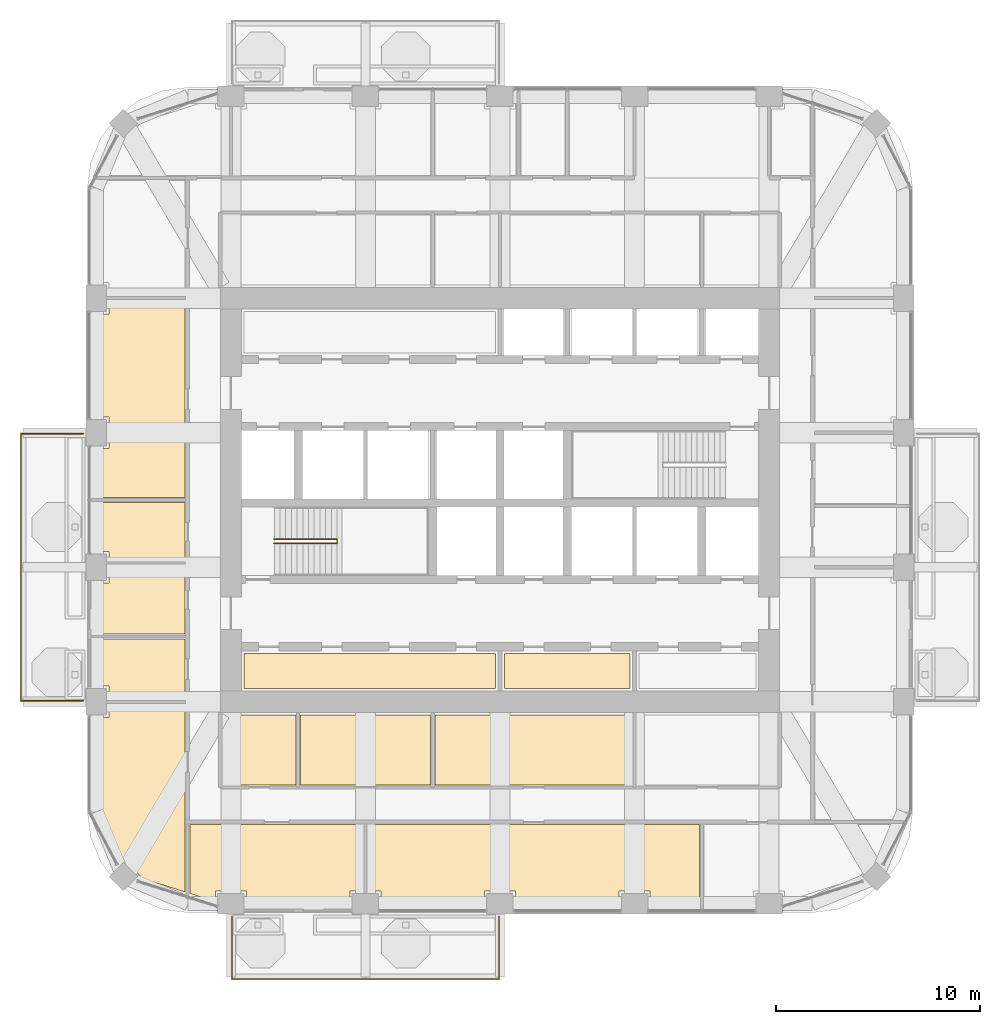
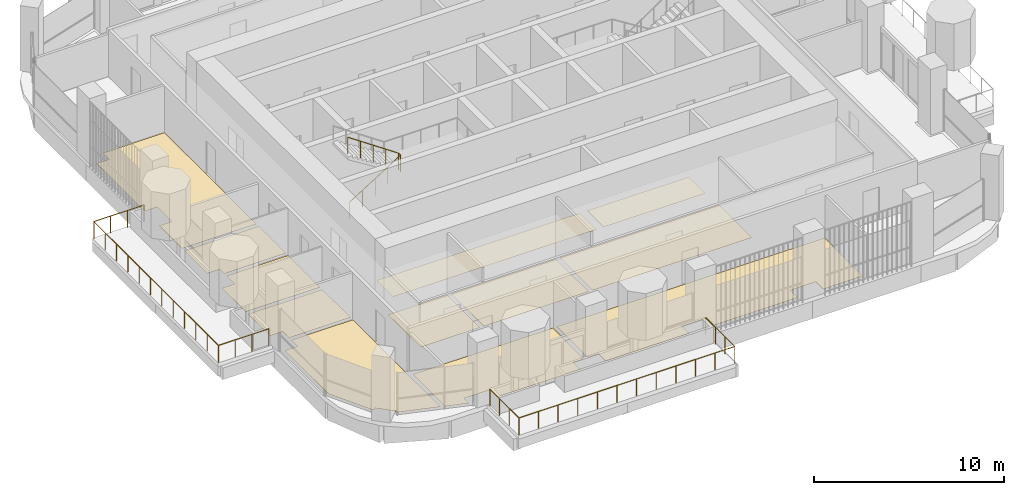
# One storey, part 16 of 20: 12 coverings, 3 railings.
"""IFC4 building model written with IfcOpenShell, lengths in metres."""

import ifcopenshell
import ifcopenshell.guid

model = None  # the IFC model being written
_history = None  # IfcOwnerHistory: only IFC2X3 demands one
_inside = {}  # id of a spatial element -> (the spatial element, [elements in it])
_under = {}  # id of a project, library or spatial element -> (it, [spatial elements below it])
_declared = {}  # id of a project -> (the project, [libraries it declares])
_typed = {}  # id of a type object -> (the type object, [elements of that type])
_made_of = {}  # id of a material, layer set ... -> (it, [elements and type objects made of it])


def new_model(schema):
    """Start an empty IFC model of exactly this schema.

    Asked for "IFC4X3", IfcOpenShell would pick the latest addendum, in which some entities
    have other attributes; the version numbers below select the first issue.
    IFC2X3 requires an IfcOwnerHistory on every rooted entity: one is made here for all.
    """
    global model, _history
    if schema == "IFC4X3":
        model = ifcopenshell.file(schema_version=(4, 3, 0, 0))
    else:
        model = ifcopenshell.file(schema=schema)
    _inside.clear()
    _under.clear()
    _declared.clear()
    _typed.clear()
    _made_of.clear()
    _history = None
    if model.schema == "IFC2X3":
        org = make("IfcOrganization", Name="unknown")
        user = make(
            "IfcPersonAndOrganization",
            ThePerson=make("IfcPerson", FamilyName="unknown"),
            TheOrganization=org,
        )
        app = make(
            "IfcApplication",
            ApplicationDeveloper=org,
            Version="unknown",
            ApplicationFullName="unknown",
            ApplicationIdentifier="unknown",
        )
        _history = make(
            "IfcOwnerHistory",
            OwningUser=user,
            OwningApplication=app,
            ChangeAction="ADDED",
            CreationDate=0,
        )
    return model


def make(cls, **values):
    """One entity of the class cls with the attributes given. An attribute that is None is left unset."""
    return model.create_entity(
        cls, **{name: value for name, value in values.items() if value is not None}
    )


def rooted(cls, **values):
    """An entity with a GlobalId (a new one), such as an element, a storey or a relation."""
    return make(cls, GlobalId=ifcopenshell.guid.new(), OwnerHistory=_history, **values)


def si_unit(unit_type, name, prefix=None):
    """IfcSIUnit, for example si_unit("LENGTHUNIT", "METRE", prefix="MILLI")."""
    return make("IfcSIUnit", UnitType=unit_type, Prefix=prefix, Name=name)


def assignment(units):
    """IfcUnitAssignment: the units of a project."""
    return None if units is None else make("IfcUnitAssignment", Units=units)


def point(xyz):
    """IfcCartesianPoint."""
    return None if xyz is None else make("IfcCartesianPoint", Coordinates=xyz)


def direction(xyz):
    """IfcDirection."""
    return None if xyz is None else make("IfcDirection", DirectionRatios=xyz)


def frame(location, z_axis=None, x_axis=None):
    """IfcAxis2Placement3D, a coordinate frame: its origin and axes. An axis left out is left unset."""
    return make(
        "IfcAxis2Placement3D",
        Location=point(location),
        Axis=direction(z_axis),
        RefDirection=direction(x_axis),
    )


def origin():
    """The frame at (0, 0, 0) with its axes left unset."""
    return frame((0.0, 0.0, 0.0))


def place(relative_to, where):
    """IfcLocalPlacement: puts the frame where relative to a parent placement (None: the world)."""
    return make(
        "IfcLocalPlacement", PlacementRelTo=relative_to, RelativePlacement=where
    )


def context(
    kind, dimensions, precision=None, world=None, true_north=None, identifier=None
):
    """IfcGeometricRepresentationContext, for example the 3D "Model" context."""
    return make(
        "IfcGeometricRepresentationContext",
        ContextIdentifier=identifier,
        ContextType=kind,
        CoordinateSpaceDimension=dimensions,
        Precision=precision,
        WorldCoordinateSystem=world,
        TrueNorth=true_north,
    )


def subcontext(parent, identifier, kind, view, scale=None):
    """IfcGeometricRepresentationSubContext, for example "Body" below "Model"."""
    return make(
        "IfcGeometricRepresentationSubContext",
        ContextIdentifier=identifier,
        ContextType=kind,
        ParentContext=parent,
        TargetScale=scale,
        TargetView=view,
    )


def project(units=None, contexts=None):
    """IfcProject with its units and contexts."""
    return rooted(
        "IfcProject",
        Name="project",
        RepresentationContexts=contexts,
        UnitsInContext=assignment(units),
    )


def spatial(cls, under=None, at=None, **own):
    """A site, building, storey or space (cls), placed at a placement, below another one or the project."""
    s = rooted(cls, ObjectPlacement=at, **own)
    if under is not None:
        _under.setdefault(under.id(), (under, []))[1].append(s)
    return s


def polyline(points):
    """IfcPolyline through the points."""
    return make("IfcPolyline", Points=[point(p) for p in points])


def outline(outer, holes=None, kind="AREA"):
    """IfcArbitraryClosedProfileDef: a profile drawn as a closed curve; with holes, ...WithVoids."""
    if holes is None:
        return make("IfcArbitraryClosedProfileDef", ProfileType=kind, OuterCurve=outer)
    return make(
        "IfcArbitraryProfileDefWithVoids",
        ProfileType=kind,
        OuterCurve=outer,
        InnerCurves=holes,
    )


def extrude(swept, where, along, depth):
    """IfcExtrudedAreaSolid: the profile swept, set in the frame where, extruded along a direction by depth."""
    return make(
        "IfcExtrudedAreaSolid",
        SweptArea=swept,
        Position=where,
        ExtrudedDirection=direction(along),
        Depth=depth,
    )


def shape(context_of_items, identifier, shape_type, items):
    """IfcShapeRepresentation: the items that make up one representation, for example the "Body"."""
    return make(
        "IfcShapeRepresentation",
        ContextOfItems=context_of_items,
        RepresentationIdentifier=identifier,
        RepresentationType=shape_type,
        Items=items,
    )


def material(Name=None, Category=None):
    """IfcMaterial."""
    return make("IfcMaterial", Name=Name, Category=Category)


def layer(
    of_material, thickness, ventilated=None, Name=None, Category=None, Priority=None
):
    """IfcMaterialLayer: one layer of a wall or slab, of a material (None: an air gap)."""
    return make(
        "IfcMaterialLayer",
        Material=of_material,
        LayerThickness=thickness,
        IsVentilated=ventilated,
        Name=Name,
        Category=Category,
        Priority=Priority,
    )


def layer_set(layers, Name=None):
    """IfcMaterialLayerSet."""
    return make("IfcMaterialLayerSet", MaterialLayers=layers, LayerSetName=Name)


def made_of(thing, what):
    """Note that an element or type object is made of a material, layer set ...; save() writes the relation."""
    if what is not None:
        _made_of.setdefault(what.id(), (what, []))[1].append(thing)
    return thing


def type_object(cls, material=None, **own):
    """A type object (cls), such as IfcWallType, which elements share."""
    return made_of(rooted(cls, **own), material)


def element(
    cls,
    number,
    at=None,
    inside=None,
    cuts=None,
    type_object=None,
    material=None,
    context=None,
    identifier="Body",
    shape_type=None,
    held_by="IfcProductDefinitionShape",
    body=None,
    shapes=None,
    **own,
):
    """One element of the class cls, such as IfcWall. Its Tag is "e" and its number.

    at: its placement. inside: the storey or other place that contains it. cuts: it is an
    opening in that element (IfcRelVoidsElement). A single representation is given by context,
    identifier, shape_type and body (its items); several are given by shapes. held_by: the class
    of the entity that holds the representations. save() writes the other relations.
    """
    e = rooted(cls, Tag="e%d" % number, ObjectPlacement=at, **own)
    if body is not None:
        shapes = [shape(context, identifier, shape_type, body)]
    if shapes is not None:
        e.Representation = make(held_by, Representations=shapes)
    if inside is not None:
        _inside.setdefault(inside.id(), (inside, []))[1].append(e)
    if cuts is not None:
        rooted(
            "IfcRelVoidsElement", RelatingBuildingElement=cuts, RelatedOpeningElement=e
        )
    if type_object is not None:
        _typed.setdefault(type_object.id(), (type_object, []))[1].append(e)
    return made_of(e, material)


def aggregate(whole, parts):
    """IfcRelAggregates: a whole, such as a stair, and the parts it consists of."""
    return rooted("IfcRelAggregates", RelatingObject=whole, RelatedObjects=parts)


def save(model, path):
    """Write the relations noted so far, then the file.

    IfcRelAggregates (storeys below a building ...), IfcRelContainedInSpatialStructure (elements
    in a storey), IfcRelDefinesByType, IfcRelAssociatesMaterial and IfcRelDeclares: one each for
    every whole, place, type object, material and project.
    """
    for whole, parts in _under.values():
        aggregate(whole, parts)
    for where, things in _inside.values():
        rooted(
            "IfcRelContainedInSpatialStructure",
            RelatedElements=things,
            RelatingStructure=where,
        )
    for kind, things in _typed.values():
        rooted("IfcRelDefinesByType", RelatedObjects=things, RelatingType=kind)
    for what, things in _made_of.values():
        rooted("IfcRelAssociatesMaterial", RelatedObjects=things, RelatingMaterial=what)
    for by, libraries in _declared.values():
        rooted("IfcRelDeclares", RelatingContext=by, RelatedDefinitions=libraries)
    model.write(path)


model = new_model("IFC4")

# Units and contexts
model_context = context("Model", 3, precision=1e-05, world=origin(), true_north=direction((0.0, 1.0)))
body_context = subcontext(model_context, "Body", "Model", "MODEL_VIEW")
ifc_project = project(units=[si_unit("LENGTHUNIT", "METRE"), si_unit("AREAUNIT", "SQUARE_METRE"), si_unit("VOLUMEUNIT", "CUBIC_METRE"), si_unit("PLANEANGLEUNIT", "RADIAN"), si_unit("MASSUNIT", "GRAM", prefix="KILO")], contexts=[model_context])

# Site, building, storey
site_placement = place(None, origin())
site = spatial("IfcSite", under=ifc_project, at=site_placement, CompositionType="ELEMENT")
building_placement = place(site_placement, origin())
building = spatial("IfcBuilding", under=site, at=building_placement, Name="Cobogo Forest Laboratory Tower", CompositionType="ELEMENT")
storey_placement = place(building_placement, frame((0.0, 0.0, 246.0)))
storey = spatial("IfcBuildingStorey", under=building, at=storey_placement, Name="L56", CompositionType="ELEMENT", Elevation=246.0)

# Railings
ifc_material_1 = material(Name="Laminated glass balustrade", Category="glass")
railing_type_1 = type_object("IfcRailingType", Name="BG1 glass balustrade 1100", PredefinedType="GUARDRAIL", material=ifc_material_1)
railing_1_placement = place(storey_placement, frame((13.25, 2.64990234375, 0.0)))
element("IfcRailing", 1, at=railing_1_placement, inside=storey, type_object=railing_type_1, Name="Balcony balustrade BAL-S1 L56", PredefinedType="GUARDRAIL", context=body_context, shape_type="SweptSolid", body=[
    extrude(outline(polyline([(0.022216796875, 0.00927734375), (0.00927734375, 0.022216796875), (-0.00927734375, 0.022216796875), (-0.022216796875, 0.00927734375), (-0.022216796875, -0.00927734375), (-0.00927734375, -0.022216796875), (0.00927734375, -0.022216796875), (0.022216796875, -0.00927734375), (0.022216796875, 0.00927734375)])), frame((0.0, 0.0, 1.077880859375), z_axis=(0.0, -1.0, 0.0), x_axis=(1.0, 0.0, 0.0)), (0.0, 0.0, 1.0), 3.0498046875),
    extrude(outline(polyline([(0.022216796875, 0.00927734375), (0.00927734375, 0.022216796875), (-0.00927734375, 0.022216796875), (-0.022216796875, 0.00927734375), (-0.022216796875, -0.00927734375), (-0.00927734375, -0.022216796875), (0.00927734375, -0.022216796875), (0.022216796875, -0.00927734375), (0.022216796875, 0.00927734375)])), frame((0.0, -3.0498046875, 1.077880859375), z_axis=(1.0, 0.0, 0.0), x_axis=(0.0, 1.0, 0.0)), (0.0, 0.0, 1.0), 13.10009765625),
    extrude(outline(polyline([(0.022216796875, 0.00927734375), (0.00927734375, 0.022216796875), (-0.00927734375, 0.022216796875), (-0.022216796875, 0.00927734375), (-0.022216796875, -0.00927734375), (-0.00927734375, -0.022216796875), (0.00927734375, -0.022216796875), (0.022216796875, -0.00927734375), (0.022216796875, 0.00927734375)])), frame((13.10009765625, -3.0498046875, 1.077880859375), z_axis=(0.0, 1.0, 0.0), x_axis=(-1.0, 0.0, 0.0)), (0.0, 0.0, 1.0), 3.0498046875),
    extrude(outline(polyline([(0.019287109375, 0.008056640625), (0.008056640625, 0.019287109375), (-0.008056640625, 0.019287109375), (-0.019287109375, 0.008056640625), (-0.019287109375, -0.008056640625), (-0.008056640625, -0.019287109375), (0.008056640625, -0.019287109375), (0.019287109375, -0.008056640625), (0.019287109375, 0.008056640625)])), origin(), (0.0, 0.0, 1.0), 1.077880859375),
    extrude(outline(polyline([(0.019287109375, 0.008056640625), (0.008056640625, 0.019287109375), (-0.008056640625, 0.019287109375), (-0.019287109375, 0.008056640625), (-0.019287109375, -0.008056640625), (-0.008056640625, -0.019287109375), (0.008056640625, -0.019287109375), (0.019287109375, -0.008056640625), (0.019287109375, 0.008056640625)])), frame((0.0, -1.0166015625, 0.0)), (0.0, 0.0, 1.0), 1.077880859375),
    extrude(outline(polyline([(0.019287109375, 0.008056640625), (0.008056640625, 0.019287109375), (-0.008056640625, 0.019287109375), (-0.019287109375, 0.008056640625), (-0.019287109375, -0.008056640625), (-0.008056640625, -0.019287109375), (0.008056640625, -0.019287109375), (0.019287109375, -0.008056640625), (0.019287109375, 0.008056640625)])), frame((0.0, -2.033203125, 0.0)), (0.0, 0.0, 1.0), 1.077880859375),
    extrude(outline(polyline([(0.019287109375, 0.008056640625), (0.008056640625, 0.019287109375), (-0.008056640625, 0.019287109375), (-0.019287109375, 0.008056640625), (-0.019287109375, -0.008056640625), (-0.008056640625, -0.019287109375), (0.008056640625, -0.019287109375), (0.019287109375, -0.008056640625), (0.019287109375, 0.008056640625)])), frame((0.0, -3.0498046875, 0.0)), (0.0, 0.0, 1.0), 1.077880859375),
    extrude(outline(polyline([(0.019287109375, 0.008056640625), (0.008056640625, 0.019287109375), (-0.008056640625, 0.019287109375), (-0.019287109375, 0.008056640625), (-0.019287109375, -0.008056640625), (-0.008056640625, -0.019287109375), (0.008056640625, -0.019287109375), (0.019287109375, -0.008056640625), (0.019287109375, 0.008056640625)])), frame((1.19091796875, -3.0498046875, 0.0)), (0.0, 0.0, 1.0), 1.077880859375),
    extrude(outline(polyline([(0.019287109375, 0.008056640625), (0.008056640625, 0.019287109375), (-0.008056640625, 0.019287109375), (-0.019287109375, 0.008056640625), (-0.019287109375, -0.008056640625), (-0.008056640625, -0.019287109375), (0.008056640625, -0.019287109375), (0.019287109375, -0.008056640625), (0.019287109375, 0.008056640625)])), frame((2.3818359375, -3.0498046875, 0.0)), (0.0, 0.0, 1.0), 1.077880859375),
    extrude(outline(polyline([(0.019287109375, 0.008056640625), (0.008056640625, 0.019287109375), (-0.008056640625, 0.019287109375), (-0.019287109375, 0.008056640625), (-0.019287109375, -0.008056640625), (-0.008056640625, -0.019287109375), (0.008056640625, -0.019287109375), (0.019287109375, -0.008056640625), (0.019287109375, 0.008056640625)])), frame((3.57275390625, -3.0498046875, 0.0)), (0.0, 0.0, 1.0), 1.077880859375),
    extrude(outline(polyline([(0.019287109375, 0.008056640625), (0.008056640625, 0.019287109375), (-0.008056640625, 0.019287109375), (-0.019287109375, 0.008056640625), (-0.019287109375, -0.008056640625), (-0.008056640625, -0.019287109375), (0.008056640625, -0.019287109375), (0.019287109375, -0.008056640625), (0.019287109375, 0.008056640625)])), frame((4.763671875, -3.0498046875, 0.0)), (0.0, 0.0, 1.0), 1.077880859375),
    extrude(outline(polyline([(0.019287109375, 0.008056640625), (0.008056640625, 0.019287109375), (-0.008056640625, 0.019287109375), (-0.019287109375, 0.008056640625), (-0.019287109375, -0.008056640625), (-0.008056640625, -0.019287109375), (0.008056640625, -0.019287109375), (0.019287109375, -0.008056640625), (0.019287109375, 0.008056640625)])), frame((5.95458984375, -3.0498046875, 0.0)), (0.0, 0.0, 1.0), 1.077880859375),
    extrude(outline(polyline([(0.019287109375, 0.008056640625), (0.008056640625, 0.019287109375), (-0.008056640625, 0.019287109375), (-0.019287109375, 0.008056640625), (-0.019287109375, -0.008056640625), (-0.008056640625, -0.019287109375), (0.008056640625, -0.019287109375), (0.019287109375, -0.008056640625), (0.019287109375, 0.008056640625)])), frame((7.1455078125, -3.0498046875, 0.0)), (0.0, 0.0, 1.0), 1.077880859375),
    extrude(outline(polyline([(0.019287109375, 0.008056640625), (0.008056640625, 0.019287109375), (-0.008056640625, 0.019287109375), (-0.019287109375, 0.008056640625), (-0.019287109375, -0.008056640625), (-0.008056640625, -0.019287109375), (0.008056640625, -0.019287109375), (0.019287109375, -0.008056640625), (0.019287109375, 0.008056640625)])), frame((8.33642578125, -3.0498046875, 0.0)), (0.0, 0.0, 1.0), 1.077880859375),
    extrude(outline(polyline([(0.019287109375, 0.008056640625), (0.008056640625, 0.019287109375), (-0.008056640625, 0.019287109375), (-0.019287109375, 0.008056640625), (-0.019287109375, -0.008056640625), (-0.008056640625, -0.019287109375), (0.008056640625, -0.019287109375), (0.019287109375, -0.008056640625), (0.019287109375, 0.008056640625)])), frame((9.52734375, -3.0498046875, 0.0)), (0.0, 0.0, 1.0), 1.077880859375),
    extrude(outline(polyline([(0.019287109375, 0.008056640625), (0.008056640625, 0.019287109375), (-0.008056640625, 0.019287109375), (-0.019287109375, 0.008056640625), (-0.019287109375, -0.008056640625), (-0.008056640625, -0.019287109375), (0.008056640625, -0.019287109375), (0.019287109375, -0.008056640625), (0.019287109375, 0.008056640625)])), frame((10.71826171875, -3.0498046875, 0.0)), (0.0, 0.0, 1.0), 1.077880859375),
    extrude(outline(polyline([(0.019287109375, 0.008056640625), (0.008056640625, 0.019287109375), (-0.008056640625, 0.019287109375), (-0.019287109375, 0.008056640625), (-0.019287109375, -0.008056640625), (-0.008056640625, -0.019287109375), (0.008056640625, -0.019287109375), (0.019287109375, -0.008056640625), (0.019287109375, 0.008056640625)])), frame((11.9091796875, -3.0498046875, 0.0)), (0.0, 0.0, 1.0), 1.077880859375),
    extrude(outline(polyline([(0.019287109375, 0.008056640625), (0.008056640625, 0.019287109375), (-0.008056640625, 0.019287109375), (-0.019287109375, 0.008056640625), (-0.019287109375, -0.008056640625), (-0.008056640625, -0.019287109375), (0.008056640625, -0.019287109375), (0.019287109375, -0.008056640625), (0.019287109375, 0.008056640625)])), frame((13.10009765625, -3.0498046875, 0.0)), (0.0, 0.0, 1.0), 1.077880859375),
    extrude(outline(polyline([(0.019287109375, 0.008056640625), (0.008056640625, 0.019287109375), (-0.008056640625, 0.019287109375), (-0.019287109375, 0.008056640625), (-0.019287109375, -0.008056640625), (-0.008056640625, -0.019287109375), (0.008056640625, -0.019287109375), (0.019287109375, -0.008056640625), (0.019287109375, 0.008056640625)])), frame((13.10009765625, -2.033203125, 0.0)), (0.0, 0.0, 1.0), 1.077880859375),
    extrude(outline(polyline([(0.019287109375, 0.008056640625), (0.008056640625, 0.019287109375), (-0.008056640625, 0.019287109375), (-0.019287109375, 0.008056640625), (-0.019287109375, -0.008056640625), (-0.008056640625, -0.019287109375), (0.008056640625, -0.019287109375), (0.019287109375, -0.008056640625), (0.019287109375, 0.008056640625)])), frame((13.10009765625, -1.0166015625, 0.0)), (0.0, 0.0, 1.0), 1.077880859375),
    extrude(outline(polyline([(0.019287109375, 0.008056640625), (0.008056640625, 0.019287109375), (-0.008056640625, 0.019287109375), (-0.019287109375, 0.008056640625), (-0.019287109375, -0.008056640625), (-0.008056640625, -0.019287109375), (0.008056640625, -0.019287109375), (0.019287109375, -0.008056640625), (0.019287109375, 0.008056640625)])), frame((13.10009765625, 0.0, 0.0)), (0.0, 0.0, 1.0), 1.077880859375),
])
railing_2_placement = place(storey_placement, frame((5.949951171875, 13.25, 0.0)))
element("IfcRailing", 2, at=railing_2_placement, inside=storey, type_object=railing_type_1, Name="Balcony balustrade BAL-W1 L56", PredefinedType="GUARDRAIL", context=body_context, shape_type="SweptSolid", body=[
    extrude(outline(polyline([(0.022216796875, 0.00927734375), (0.00927734375, 0.022216796875), (-0.00927734375, 0.022216796875), (-0.022216796875, 0.00927734375), (-0.022216796875, -0.00927734375), (-0.00927734375, -0.022216796875), (0.00927734375, -0.022216796875), (0.022216796875, -0.00927734375), (0.022216796875, 0.00927734375)])), frame((0.0, 0.0, 1.077880859375), z_axis=(-1.0, 0.0, 0.0), x_axis=(0.0, -1.0, 0.0)), (0.0, 0.0, 1.0), 3.050048828125),
    extrude(outline(polyline([(0.022216796875, 0.00927734375), (0.00927734375, 0.022216796875), (-0.00927734375, 0.022216796875), (-0.022216796875, 0.00927734375), (-0.022216796875, -0.00927734375), (-0.00927734375, -0.022216796875), (0.00927734375, -0.022216796875), (0.022216796875, -0.00927734375), (0.022216796875, 0.00927734375)])), frame((-3.050048828125, 0.0, 1.077880859375), z_axis=(0.0, 1.0, 0.0), x_axis=(-1.0, 0.0, 0.0)), (0.0, 0.0, 1.0), 13.10009765625),
    extrude(outline(polyline([(0.022216796875, 0.00927734375), (0.00927734375, 0.022216796875), (-0.00927734375, 0.022216796875), (-0.022216796875, 0.00927734375), (-0.022216796875, -0.00927734375), (-0.00927734375, -0.022216796875), (0.00927734375, -0.022216796875), (0.022216796875, -0.00927734375), (0.022216796875, 0.00927734375)])), frame((-3.050048828125, 13.10009765625, 1.077880859375), z_axis=(1.0, 0.0, 0.0), x_axis=(0.0, 1.0, 0.0)), (0.0, 0.0, 1.0), 3.050048828125),
    extrude(outline(polyline([(0.019287109375, 0.008056640625), (0.008056640625, 0.019287109375), (-0.008056640625, 0.019287109375), (-0.019287109375, 0.008056640625), (-0.019287109375, -0.008056640625), (-0.008056640625, -0.019287109375), (0.008056640625, -0.019287109375), (0.019287109375, -0.008056640625), (0.019287109375, 0.008056640625)])), origin(), (0.0, 0.0, 1.0), 1.077880859375),
    extrude(outline(polyline([(0.019287109375, 0.008056640625), (0.008056640625, 0.019287109375), (-0.008056640625, 0.019287109375), (-0.019287109375, 0.008056640625), (-0.019287109375, -0.008056640625), (-0.008056640625, -0.019287109375), (0.008056640625, -0.019287109375), (0.019287109375, -0.008056640625), (0.019287109375, 0.008056640625)])), frame((-1.0166015625, 0.0, 0.0)), (0.0, 0.0, 1.0), 1.077880859375),
    extrude(outline(polyline([(0.019287109375, 0.008056640625), (0.008056640625, 0.019287109375), (-0.008056640625, 0.019287109375), (-0.019287109375, 0.008056640625), (-0.019287109375, -0.008056640625), (-0.008056640625, -0.019287109375), (0.008056640625, -0.019287109375), (0.019287109375, -0.008056640625), (0.019287109375, 0.008056640625)])), frame((-2.033447265625, 0.0, 0.0)), (0.0, 0.0, 1.0), 1.077880859375),
    extrude(outline(polyline([(0.019287109375, 0.008056640625), (0.008056640625, 0.019287109375), (-0.008056640625, 0.019287109375), (-0.019287109375, 0.008056640625), (-0.019287109375, -0.008056640625), (-0.008056640625, -0.019287109375), (0.008056640625, -0.019287109375), (0.019287109375, -0.008056640625), (0.019287109375, 0.008056640625)])), frame((-3.050048828125, 0.0, 0.0)), (0.0, 0.0, 1.0), 1.077880859375),
    extrude(outline(polyline([(0.019287109375, 0.008056640625), (0.008056640625, 0.019287109375), (-0.008056640625, 0.019287109375), (-0.019287109375, 0.008056640625), (-0.019287109375, -0.008056640625), (-0.008056640625, -0.019287109375), (0.008056640625, -0.019287109375), (0.019287109375, -0.008056640625), (0.019287109375, 0.008056640625)])), frame((-3.050048828125, 1.19091796875, 0.0)), (0.0, 0.0, 1.0), 1.077880859375),
    extrude(outline(polyline([(0.019287109375, 0.008056640625), (0.008056640625, 0.019287109375), (-0.008056640625, 0.019287109375), (-0.019287109375, 0.008056640625), (-0.019287109375, -0.008056640625), (-0.008056640625, -0.019287109375), (0.008056640625, -0.019287109375), (0.019287109375, -0.008056640625), (0.019287109375, 0.008056640625)])), frame((-3.050048828125, 2.3818359375, 0.0)), (0.0, 0.0, 1.0), 1.077880859375),
    extrude(outline(polyline([(0.019287109375, 0.008056640625), (0.008056640625, 0.019287109375), (-0.008056640625, 0.019287109375), (-0.019287109375, 0.008056640625), (-0.019287109375, -0.008056640625), (-0.008056640625, -0.019287109375), (0.008056640625, -0.019287109375), (0.019287109375, -0.008056640625), (0.019287109375, 0.008056640625)])), frame((-3.050048828125, 3.57275390625, 0.0)), (0.0, 0.0, 1.0), 1.077880859375),
    extrude(outline(polyline([(0.019287109375, 0.008056640625), (0.008056640625, 0.019287109375), (-0.008056640625, 0.019287109375), (-0.019287109375, 0.008056640625), (-0.019287109375, -0.008056640625), (-0.008056640625, -0.019287109375), (0.008056640625, -0.019287109375), (0.019287109375, -0.008056640625), (0.019287109375, 0.008056640625)])), frame((-3.050048828125, 4.763671875, 0.0)), (0.0, 0.0, 1.0), 1.077880859375),
    extrude(outline(polyline([(0.019287109375, 0.008056640625), (0.008056640625, 0.019287109375), (-0.008056640625, 0.019287109375), (-0.019287109375, 0.008056640625), (-0.019287109375, -0.008056640625), (-0.008056640625, -0.019287109375), (0.008056640625, -0.019287109375), (0.019287109375, -0.008056640625), (0.019287109375, 0.008056640625)])), frame((-3.050048828125, 5.95458984375, 0.0)), (0.0, 0.0, 1.0), 1.077880859375),
    extrude(outline(polyline([(0.019287109375, 0.008056640625), (0.008056640625, 0.019287109375), (-0.008056640625, 0.019287109375), (-0.019287109375, 0.008056640625), (-0.019287109375, -0.008056640625), (-0.008056640625, -0.019287109375), (0.008056640625, -0.019287109375), (0.019287109375, -0.008056640625), (0.019287109375, 0.008056640625)])), frame((-3.050048828125, 7.1455078125, 0.0)), (0.0, 0.0, 1.0), 1.077880859375),
    extrude(outline(polyline([(0.019287109375, 0.008056640625), (0.008056640625, 0.019287109375), (-0.008056640625, 0.019287109375), (-0.019287109375, 0.008056640625), (-0.019287109375, -0.008056640625), (-0.008056640625, -0.019287109375), (0.008056640625, -0.019287109375), (0.019287109375, -0.008056640625), (0.019287109375, 0.008056640625)])), frame((-3.050048828125, 8.33642578125, 0.0)), (0.0, 0.0, 1.0), 1.077880859375),
    extrude(outline(polyline([(0.019287109375, 0.008056640625), (0.008056640625, 0.019287109375), (-0.008056640625, 0.019287109375), (-0.019287109375, 0.008056640625), (-0.019287109375, -0.008056640625), (-0.008056640625, -0.019287109375), (0.008056640625, -0.019287109375), (0.019287109375, -0.008056640625), (0.019287109375, 0.008056640625)])), frame((-3.050048828125, 9.52734375, 0.0)), (0.0, 0.0, 1.0), 1.077880859375),
    extrude(outline(polyline([(0.019287109375, 0.008056640625), (0.008056640625, 0.019287109375), (-0.008056640625, 0.019287109375), (-0.019287109375, 0.008056640625), (-0.019287109375, -0.008056640625), (-0.008056640625, -0.019287109375), (0.008056640625, -0.019287109375), (0.019287109375, -0.008056640625), (0.019287109375, 0.008056640625)])), frame((-3.050048828125, 10.71826171875, 0.0)), (0.0, 0.0, 1.0), 1.077880859375),
    extrude(outline(polyline([(0.019287109375, 0.008056640625), (0.008056640625, 0.019287109375), (-0.008056640625, 0.019287109375), (-0.019287109375, 0.008056640625), (-0.019287109375, -0.008056640625), (-0.008056640625, -0.019287109375), (0.008056640625, -0.019287109375), (0.019287109375, -0.008056640625), (0.019287109375, 0.008056640625)])), frame((-3.050048828125, 11.9091796875, 0.0)), (0.0, 0.0, 1.0), 1.077880859375),
    extrude(outline(polyline([(0.019287109375, 0.008056640625), (0.008056640625, 0.019287109375), (-0.008056640625, 0.019287109375), (-0.019287109375, 0.008056640625), (-0.019287109375, -0.008056640625), (-0.008056640625, -0.019287109375), (0.008056640625, -0.019287109375), (0.019287109375, -0.008056640625), (0.019287109375, 0.008056640625)])), frame((-3.050048828125, 13.10009765625, 0.0)), (0.0, 0.0, 1.0), 1.077880859375),
    extrude(outline(polyline([(0.019287109375, 0.008056640625), (0.008056640625, 0.019287109375), (-0.008056640625, 0.019287109375), (-0.019287109375, 0.008056640625), (-0.019287109375, -0.008056640625), (-0.008056640625, -0.019287109375), (0.008056640625, -0.019287109375), (0.019287109375, -0.008056640625), (0.019287109375, 0.008056640625)])), frame((-2.033447265625, 13.10009765625, 0.0)), (0.0, 0.0, 1.0), 1.077880859375),
    extrude(outline(polyline([(0.019287109375, 0.008056640625), (0.008056640625, 0.019287109375), (-0.008056640625, 0.019287109375), (-0.019287109375, 0.008056640625), (-0.019287109375, -0.008056640625), (-0.008056640625, -0.019287109375), (0.008056640625, -0.019287109375), (0.019287109375, -0.008056640625), (0.019287109375, 0.008056640625)])), frame((-1.0166015625, 13.10009765625, 0.0)), (0.0, 0.0, 1.0), 1.077880859375),
    extrude(outline(polyline([(0.019287109375, 0.008056640625), (0.008056640625, 0.019287109375), (-0.008056640625, 0.019287109375), (-0.019287109375, 0.008056640625), (-0.019287109375, -0.008056640625), (-0.008056640625, -0.019287109375), (0.008056640625, -0.019287109375), (0.019287109375, -0.008056640625), (0.019287109375, 0.008056640625)])), frame((0.0, 13.10009765625, 0.0)), (0.0, 0.0, 1.0), 1.077880859375),
])

# Coverings
ifc_material_2 = material(Name="Carpet tile on raised access floor", Category="flooring")
ifc_layer_1 = layer(ifc_material_2, 0.008056640625)
ifc_layer_set_1 = layer_set([ifc_layer_1], Name="CT1 carpet tile floor 8")
covering_type_1 = type_object("IfcCoveringType", Name="CT1 carpet tile floor 8", PredefinedType="FLOORING", material=ifc_layer_set_1)
covering_1_placement = place(storey_placement, origin())
element("IfcCovering", 3, at=covering_1_placement, inside=storey, type_object=covering_type_1, Name="Carpet floor L56-05", PredefinedType="FLOORING", context=body_context, shape_type="SweptSolid", body=[
    extrude(outline(polyline([(16.3798828125, 9.1201171875), (12.794921875, 9.1201171875), (12.794921875, 12.554931640625), (16.3798828125, 12.554931640625), (16.3798828125, 9.1201171875)])), origin(), (0.0, 0.0, 1.0), 0.008056640625),
])
covering_2_placement = place(storey_placement, origin())
element("IfcCovering", 4, at=covering_2_placement, inside=storey, type_object=covering_type_1, Name="Carpet floor L56-06", PredefinedType="FLOORING", context=body_context, shape_type="SweptSolid", body=[
    extrude(outline(polyline([(22.97998046875, 9.1201171875), (16.6201171875, 9.1201171875), (16.6201171875, 12.554931640625), (22.97998046875, 12.554931640625), (22.97998046875, 9.1201171875)])), origin(), (0.0, 0.0, 1.0), 0.008056640625),
])
covering_3_placement = place(storey_placement, origin())
element("IfcCovering", 5, at=covering_3_placement, inside=storey, type_object=covering_type_1, Name="Carpet floor L56-07", PredefinedType="FLOORING", context=body_context, shape_type="SweptSolid", body=[
    extrude(outline(polyline([(32.8798828125, 9.1201171875), (23.219970703125, 9.1201171875), (23.219970703125, 12.554931640625), (32.8798828125, 12.554931640625), (32.8798828125, 9.1201171875)])), origin(), (0.0, 0.0, 1.0), 0.008056640625),
])
covering_4_placement = place(storey_placement, origin())
element("IfcCovering", 6, at=covering_4_placement, inside=storey, type_object=covering_type_1, Name="Carpet floor L56-10", PredefinedType="FLOORING", context=body_context, shape_type="SweptSolid", body=[
    extrude(outline(polyline([(36.179931640625, 7.179931640625), (36.179931640625, 3.14990234375), (33.77001953125, 3.14990234375), (33.77001953125, 3.919921875), (32.22998046875, 3.919921875), (32.22998046875, 3.14990234375), (27.169921875, 3.14990234375), (27.169921875, 3.919921875), (25.6298828125, 3.919921875), (25.6298828125, 3.14990234375), (20.570068359375, 3.14990234375), (20.570068359375, 3.919921875), (19.919921875, 3.919921875), (19.919921875, 7.179931640625), (36.179931640625, 7.179931640625)])), origin(), (0.0, 0.0, 1.0), 0.008056640625),
])
covering_5_placement = place(storey_placement, origin())
element("IfcCovering", 7, at=covering_5_placement, inside=storey, type_object=covering_type_1, Name="Carpet floor L56-23", PredefinedType="FLOORING", context=body_context, shape_type="SweptSolid", body=[
    extrude(outline(polyline([(8.743896484375, 4.56689453125), (8.794921875, 4.617919921875), (7.91796875, 5.494873046875), (7.7646484375, 5.34130859375), (6.449951171875, 7.84912109375), (6.449951171875, 12.429931640625), (7.219970703125, 12.429931640625), (7.219970703125, 13.080078125), (10.955078125, 13.080078125), (10.955078125, 3.86865234375), (8.743896484375, 4.56689453125)])), origin(), (0.0, 0.0, 1.0), 0.008056640625),
])
covering_6_placement = place(storey_placement, origin())
element("IfcCovering", 8, at=covering_6_placement, inside=storey, type_object=covering_type_1, Name="Carpet floor L56-27", PredefinedType="FLOORING", context=body_context, shape_type="SweptSolid", body=[
    extrude(outline(polyline([(10.955078125, 23.219970703125), (6.449951171875, 23.219970703125), (6.449951171875, 25.6298828125), (7.219970703125, 25.6298828125), (7.219970703125, 27.169921875), (6.449951171875, 27.169921875), (6.449951171875, 32.22998046875), (7.219970703125, 32.22998046875), (7.219970703125, 32.8798828125), (10.955078125, 32.8798828125), (10.955078125, 23.219970703125)])), origin(), (0.0, 0.0, 1.0), 0.008056640625),
])
covering_7_placement = place(storey_placement, origin())
element("IfcCovering", 9, at=covering_7_placement, inside=storey, type_object=covering_type_1, Name="Carpet floor L56-36", PredefinedType="FLOORING", context=body_context, shape_type="SweptSolid", body=[
    extrude(outline(polyline([(26.179931640625, 13.844970703125), (13.844970703125, 13.844970703125), (13.844970703125, 15.580078125), (26.179931640625, 15.580078125), (26.179931640625, 13.844970703125)])), origin(), (0.0, 0.0, 1.0), 0.008056640625),
])

# Railing
ifc_material_3 = material(Name="Steel balustrade", Category="steel")
railing_type_2 = type_object("IfcRailingType", Name="GR stair guard 1100", PredefinedType="GUARDRAIL", material=ifc_material_3)
railing_3_placement = place(storey_placement, frame((15.324951171875, 20.969970703125, 0.175048828125)))
element("IfcRailing", 10, at=railing_3_placement, inside=storey, type_object=railing_type_2, Name="Stair guard ST1 L56", PredefinedType="GUARDRAIL", context=body_context, shape_type="SweptSolid", body=[
    extrude(outline(polyline([(0.022216796875, 0.00927734375), (0.00927734375, 0.022216796875), (-0.00927734375, 0.022216796875), (-0.022216796875, 0.00927734375), (-0.022216796875, -0.00927734375), (-0.00927734375, -0.022216796875), (0.00927734375, -0.022216796875), (0.022216796875, -0.00927734375), (0.022216796875, 0.00927734375)])), frame((0.0, 0.0, 1.077880859375), z_axis=(0.847998304005, 0.0, 0.529998940003), x_axis=(0.0, 1.0, 0.0)), (0.0, 0.0, 1.0), 3.632080078125),
    extrude(outline(polyline([(0.022216796875, 0.00927734375), (0.00927734375, 0.022216796875), (-0.00927734375, 0.022216796875), (-0.022216796875, 0.00927734375), (-0.022216796875, -0.00927734375), (-0.00927734375, -0.022216796875), (0.00927734375, -0.022216796875), (0.022216796875, -0.00927734375), (0.022216796875, 0.00927734375)])), frame((3.080078125, 0.0, 3.0029296875), z_axis=(0.0, 1.0, 0.0), x_axis=(-1.0, 0.0, 0.0)), (0.0, 0.0, 1.0), 0.2099609375),
    extrude(outline(polyline([(0.022216796875, 0.00927734375), (0.00927734375, 0.022216796875), (-0.00927734375, 0.022216796875), (-0.022216796875, 0.00927734375), (-0.022216796875, -0.00927734375), (-0.00927734375, -0.022216796875), (0.00927734375, -0.022216796875), (0.022216796875, -0.00927734375), (0.022216796875, 0.00927734375)])), frame((3.080078125, 0.2099609375, 3.0029296875), z_axis=(-0.826252282691, 0.0, 0.563300244406), x_axis=(0.0, -1.0, 0.0)), (0.0, 0.0, 1.0), 3.727783203125),
    extrude(outline(polyline([(0.019287109375, 0.008056640625), (0.008056640625, 0.019287109375), (-0.008056640625, 0.019287109375), (-0.019287109375, 0.008056640625), (-0.019287109375, -0.008056640625), (-0.008056640625, -0.019287109375), (0.008056640625, -0.019287109375), (0.019287109375, -0.008056640625), (0.019287109375, 0.008056640625)])), origin(), (0.0, 0.0, 1.0), 1.077880859375),
    extrude(outline(polyline([(0.019287109375, 0.008056640625), (0.008056640625, 0.019287109375), (-0.008056640625, 0.019287109375), (-0.019287109375, 0.008056640625), (-0.019287109375, -0.008056640625), (-0.008056640625, -0.019287109375), (0.008056640625, -0.019287109375), (0.019287109375, -0.008056640625), (0.019287109375, 0.008056640625)])), frame((0.77001953125, 0.0, 0.481201171875)), (0.0, 0.0, 1.0), 1.077880859375),
    extrude(outline(polyline([(0.019287109375, 0.008056640625), (0.008056640625, 0.019287109375), (-0.008056640625, 0.019287109375), (-0.019287109375, 0.008056640625), (-0.019287109375, -0.008056640625), (-0.008056640625, -0.019287109375), (0.008056640625, -0.019287109375), (0.019287109375, -0.008056640625), (0.019287109375, 0.008056640625)])), frame((1.5400390625, 0.0, 0.96240234375)), (0.0, 0.0, 1.0), 1.077880859375),
    extrude(outline(polyline([(0.019287109375, 0.008056640625), (0.008056640625, 0.019287109375), (-0.008056640625, 0.019287109375), (-0.019287109375, 0.008056640625), (-0.019287109375, -0.008056640625), (-0.008056640625, -0.019287109375), (0.008056640625, -0.019287109375), (0.019287109375, -0.008056640625), (0.019287109375, 0.008056640625)])), frame((2.31005859375, 0.0, 1.44384765625)), (0.0, 0.0, 1.0), 1.077880859375),
    extrude(outline(polyline([(0.019287109375, 0.008056640625), (0.008056640625, 0.019287109375), (-0.008056640625, 0.019287109375), (-0.019287109375, 0.008056640625), (-0.019287109375, -0.008056640625), (-0.008056640625, -0.019287109375), (0.008056640625, -0.019287109375), (0.019287109375, -0.008056640625), (0.019287109375, 0.008056640625)])), frame((3.080078125, 0.0, 1.925048828125)), (0.0, 0.0, 1.0), 1.077880859375),
    extrude(outline(polyline([(0.019287109375, 0.008056640625), (0.008056640625, 0.019287109375), (-0.008056640625, 0.019287109375), (-0.019287109375, 0.008056640625), (-0.019287109375, -0.008056640625), (-0.008056640625, -0.019287109375), (0.008056640625, -0.019287109375), (0.019287109375, -0.008056640625), (0.019287109375, 0.008056640625)])), frame((3.080078125, 0.2099609375, 1.925048828125)), (0.0, 0.0, 1.0), 1.077880859375),
    extrude(outline(polyline([(0.019287109375, 0.008056640625), (0.008056640625, 0.019287109375), (-0.008056640625, 0.019287109375), (-0.019287109375, 0.008056640625), (-0.019287109375, -0.008056640625), (-0.008056640625, -0.019287109375), (0.008056640625, -0.019287109375), (0.019287109375, -0.008056640625), (0.019287109375, 0.008056640625)])), frame((2.31005859375, 0.2099609375, 2.449951171875)), (0.0, 0.0, 1.0), 1.077880859375),
    extrude(outline(polyline([(0.019287109375, 0.008056640625), (0.008056640625, 0.019287109375), (-0.008056640625, 0.019287109375), (-0.019287109375, 0.008056640625), (-0.019287109375, -0.008056640625), (-0.008056640625, -0.019287109375), (0.008056640625, -0.019287109375), (0.019287109375, -0.008056640625), (0.019287109375, 0.008056640625)])), frame((1.5400390625, 0.2099609375, 2.97509765625)), (0.0, 0.0, 1.0), 1.077880859375),
    extrude(outline(polyline([(0.019287109375, 0.008056640625), (0.008056640625, 0.019287109375), (-0.008056640625, 0.019287109375), (-0.019287109375, 0.008056640625), (-0.019287109375, -0.008056640625), (-0.008056640625, -0.019287109375), (0.008056640625, -0.019287109375), (0.019287109375, -0.008056640625), (0.019287109375, 0.008056640625)])), frame((0.77001953125, 0.2099609375, 3.5)), (0.0, 0.0, 1.0), 1.077880859375),
    extrude(outline(polyline([(0.019287109375, 0.008056640625), (0.008056640625, 0.019287109375), (-0.008056640625, 0.019287109375), (-0.019287109375, 0.008056640625), (-0.019287109375, -0.008056640625), (-0.008056640625, -0.019287109375), (0.008056640625, -0.019287109375), (0.019287109375, -0.008056640625), (0.019287109375, 0.008056640625)])), frame((0.0, 0.2099609375, 4.02490234375)), (0.0, 0.0, 1.0), 1.077880859375),
])

# Coverings
ifc_material_4 = material(Name="Epoxy resin flooring", Category="flooring")
ifc_layer_2 = layer(ifc_material_4, 0.00390625)
ifc_layer_set_2 = layer_set([ifc_layer_2], Name="LF1 epoxy laboratory floor 4")
covering_type_2 = type_object("IfcCoveringType", Name="LF1 epoxy laboratory floor 4", PredefinedType="FLOORING", material=ifc_layer_set_2)
covering_8_placement = place(storey_placement, origin())
element("IfcCovering", 11, at=covering_8_placement, inside=storey, type_object=covering_type_2, Name="Epoxy laboratory floor L56-09", PredefinedType="FLOORING", context=body_context, shape_type="SweptSolid", body=[
    extrude(outline(polyline([(19.679931640625, 7.179931640625), (19.679931640625, 3.919921875), (19.030029296875, 3.919921875), (19.030029296875, 3.14990234375), (13.969970703125, 3.14990234375), (13.969970703125, 3.919921875), (12.429931640625, 3.919921875), (12.429931640625, 3.40283203125), (11.195068359375, 3.79296875), (11.195068359375, 7.179931640625), (19.679931640625, 7.179931640625)])), origin(), (0.0, 0.0, 1.0), 0.00390625),
])
ifc_material_5 = material(Name="Ceramic floor tile", Category="flooring")
ifc_layer_3 = layer(ifc_material_5, 0.010009765625)
ifc_layer_set_3 = layer_set([ifc_layer_3], Name="TF1 ceramic tile floor 10")
covering_type_3 = type_object("IfcCoveringType", Name="TF1 ceramic tile floor 10", PredefinedType="FLOORING", material=ifc_layer_set_3)
covering_9_placement = place(storey_placement, origin())
element("IfcCovering", 12, at=covering_9_placement, inside=storey, type_object=covering_type_3, Name="Tile floor L56-24", PredefinedType="FLOORING", context=body_context, shape_type="SweptSolid", body=[
    extrude(outline(polyline([(10.955078125, 13.320068359375), (7.219970703125, 13.320068359375), (7.219970703125, 13.969970703125), (6.449951171875, 13.969970703125), (6.449951171875, 16.280029296875), (10.955078125, 16.280029296875), (10.955078125, 13.320068359375)])), origin(), (0.0, 0.0, 1.0), 0.010009765625),
])
covering_10_placement = place(storey_placement, origin())
element("IfcCovering", 13, at=covering_10_placement, inside=storey, type_object=covering_type_3, Name="Tile floor L56-25", PredefinedType="FLOORING", context=body_context, shape_type="SweptSolid", body=[
    extrude(outline(polyline([(10.955078125, 16.52001953125), (6.449951171875, 16.52001953125), (6.449951171875, 19.030029296875), (7.219970703125, 19.030029296875), (7.219970703125, 19.8798828125), (10.955078125, 19.8798828125), (10.955078125, 16.52001953125)])), origin(), (0.0, 0.0, 1.0), 0.010009765625),
])
covering_11_placement = place(storey_placement, origin())
element("IfcCovering", 14, at=covering_11_placement, inside=storey, type_object=covering_type_3, Name="Tile floor L56-26", PredefinedType="FLOORING", context=body_context, shape_type="SweptSolid", body=[
    extrude(outline(polyline([(10.955078125, 20.1201171875), (7.219970703125, 20.1201171875), (7.219970703125, 20.570068359375), (6.449951171875, 20.570068359375), (6.449951171875, 22.97998046875), (10.955078125, 22.97998046875), (10.955078125, 20.1201171875)])), origin(), (0.0, 0.0, 1.0), 0.010009765625),
])
covering_12_placement = place(storey_placement, origin())
element("IfcCovering", 15, at=covering_12_placement, inside=storey, type_object=covering_type_3, Name="Tile floor L56-37", PredefinedType="FLOORING", context=body_context, shape_type="SweptSolid", body=[
    extrude(outline(polyline([(32.780029296875, 13.844970703125), (26.6201171875, 13.844970703125), (26.6201171875, 15.580078125), (32.780029296875, 15.580078125), (32.780029296875, 13.844970703125)])), origin(), (0.0, 0.0, 1.0), 0.010009765625),
])

save(model, "model.ifc")
